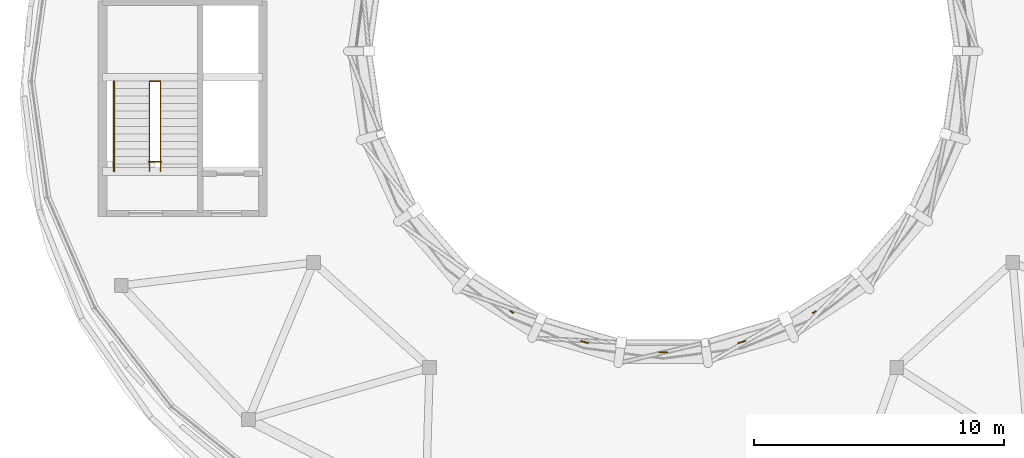
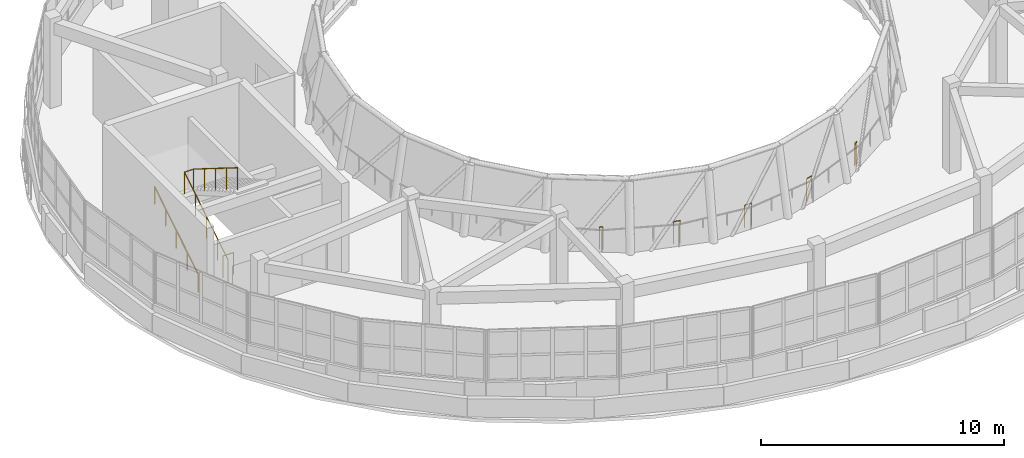
# One storey, part 40 of 46: 8 railings.
"""IFC4 building model written with IfcOpenShell, lengths in metres."""

from ifc_helpers import new_model, si_unit, direction, frame, origin, origin_2d, place, context, subcontext, project, spatial, circle, extrude, material, type_object, element, save


model = new_model("IFC4")

# Units and contexts
model_context = context("Model", 3, precision=1e-05, world=origin(), true_north=direction((0.0, 1.0)))
body_context = subcontext(model_context, "Body", "Model", "MODEL_VIEW")
ifc_project = project(units=[si_unit("LENGTHUNIT", "METRE"), si_unit("AREAUNIT", "SQUARE_METRE"), si_unit("VOLUMEUNIT", "CUBIC_METRE"), si_unit("PLANEANGLEUNIT", "RADIAN"), si_unit("MASSUNIT", "GRAM", prefix="KILO")], contexts=[model_context])

# Site, building, storey
site_placement = place(None, origin())
site = spatial("IfcSite", under=ifc_project, at=site_placement, CompositionType="ELEMENT")
building_placement = place(site_placement, origin())
building = spatial("IfcBuilding", under=site, at=building_placement, Name="Pelvatis Terrace Science Centre", CompositionType="ELEMENT")
storey_placement = place(building_placement, frame((0.0, 0.0, 19.800048828125)))
storey = spatial("IfcBuildingStorey", under=building, at=storey_placement, Name="L04", CompositionType="ELEMENT", Elevation=19.800048828125)

# Railings
ifc_material_1 = material(Name="Bronze-anodised aluminium and laminated safety glass balustrade", Category="aluminium")
railing_type_1 = type_object("IfcRailingType", Name="RLG-BAL-1150", PredefinedType="BALUSTRADE", material=ifc_material_1)
railing_1_placement = place(storey_placement, frame((103.09814453125, 75.413330078125, 0.0)))
element("IfcRailing", 1, at=railing_1_placement, inside=storey, type_object=railing_type_1, Name="Perimeter edge balustrade RLG-EDG-L04-423", PredefinedType="BALUSTRADE", context=body_context, shape_type="SweptSolid", body=[
    extrude(circle(Radius=0.02392578125, at=origin_2d()), frame((0.0, 0.0, 1.1259765625), z_axis=(0.84064483359, -0.541586801684, 0.0), x_axis=(0.541586801684, 0.84064483359, 0.0)), (0.0, 0.0, 1.0), 0.1337890625),
    extrude(circle(Radius=0.02099609375, at=origin_2d()), origin(), (0.0, 0.0, 1.0), 1.101806640625),
    extrude(circle(Radius=0.02099609375, at=origin_2d()), frame((0.112548828125, -0.072509765625, 0.0)), (0.0, 0.0, 1.0), 1.101806640625),
])
railing_2_placement = place(storey_placement, frame((105.92431640625, 74.216796875, 0.0)))
element("IfcRailing", 2, at=railing_2_placement, inside=storey, type_object=railing_type_1, Name="Perimeter edge balustrade RLG-EDG-L04-424", PredefinedType="BALUSTRADE", context=body_context, shape_type="SweptSolid", body=[
    extrude(circle(Radius=0.02392578125, at=origin_2d()), frame((0.0, 0.0, 1.1259765625), z_axis=(0.959668913925, -0.281132665562, 0.0), x_axis=(0.281132665562, 0.959668913925, 0.0)), (0.0, 0.0, 1.0), 0.28125),
    extrude(circle(Radius=0.02099609375, at=origin_2d()), origin(), (0.0, 0.0, 1.0), 1.101806640625),
    extrude(circle(Radius=0.02099609375, at=origin_2d()), frame((0.27001953125, -0.0791015625, 0.0)), (0.0, 0.0, 1.0), 1.101806640625),
])
railing_3_placement = place(storey_placement, frame((109.0380859375, 73.76318359375, 0.0)))
element("IfcRailing", 3, at=railing_3_placement, inside=storey, type_object=railing_type_1, Name="Perimeter edge balustrade RLG-EDG-L04-425", PredefinedType="BALUSTRADE", context=body_context, shape_type="SweptSolid", body=[
    extrude(circle(Radius=0.02392578125, at=origin_2d()), frame((0.0, 0.0, 1.1259765625), z_axis=(1.0, 0.0, 0.0), x_axis=(0.0, 1.0, 0.0)), (0.0, 0.0, 1.0), 0.32373046875),
    extrude(circle(Radius=0.02099609375, at=origin_2d()), origin(), (0.0, 0.0, 1.0), 1.101806640625),
    extrude(circle(Radius=0.02099609375, at=origin_2d()), frame((0.32373046875, 0.0, 0.0)), (0.0, 0.0, 1.0), 1.101806640625),
])
railing_4_placement = place(storey_placement, frame((112.20556640625, 74.1376953125, 0.0)))
element("IfcRailing", 4, at=railing_4_placement, inside=storey, type_object=railing_type_1, Name="Perimeter edge balustrade RLG-EDG-L04-426", PredefinedType="BALUSTRADE", context=body_context, shape_type="SweptSolid", body=[
    extrude(circle(Radius=0.02392578125, at=origin_2d()), frame((0.0, 0.0, 1.1259765625), z_axis=(0.959737407008, 0.280898753271, 0.0), x_axis=(-0.280898753271, 0.959737407008, 0.0)), (0.0, 0.0, 1.0), 0.281494140625),
    extrude(circle(Radius=0.02099609375, at=origin_2d()), origin(), (0.0, 0.0, 1.0), 1.101806640625),
    extrude(circle(Radius=0.02099609375, at=origin_2d()), frame((0.270263671875, 0.0791015625, 0.0)), (0.0, 0.0, 1.0), 1.101806640625),
])
railing_5_placement = place(storey_placement, frame((115.189208984375, 75.3408203125, 0.0)))
element("IfcRailing", 5, at=railing_5_placement, inside=storey, type_object=railing_type_1, Name="Perimeter edge balustrade RLG-EDG-L04-427", PredefinedType="BALUSTRADE", context=body_context, shape_type="SweptSolid", body=[
    extrude(circle(Radius=0.02392578125, at=origin_2d()), frame((0.0, 0.0, 1.1259765625), z_axis=(0.841178475377, 0.540757591313, 0.0), x_axis=(-0.540757591313, 0.841178475377, 0.0)), (0.0, 0.0, 1.0), 0.134033203125),
    extrude(circle(Radius=0.02099609375, at=origin_2d()), origin(), (0.0, 0.0, 1.0), 1.101806640625),
    extrude(circle(Radius=0.02099609375, at=origin_2d()), frame((0.11279296875, 0.072509765625, 0.0)), (0.0, 0.0, 1.0), 1.101806640625),
])
ifc_material_2 = material(Name="Brushed architectural bronze tubular railing", Category="steel")
railing_type_2 = type_object("IfcRailingType", Name="RLG-GRD-1120", PredefinedType="GUARDRAIL", material=ifc_material_2)
railing_6_placement = place(storey_placement, frame((88.679931640625, 81.0, 0.0)))
element("IfcRailing", 6, at=railing_6_placement, inside=storey, type_object=railing_type_2, Name="Stair ST-01-L04 inner well guardrail", PredefinedType="GUARDRAIL", context=body_context, shape_type="SweptSolid", body=[
    extrude(circle(Radius=0.02392578125, at=origin_2d()), frame((0.0, 0.0, 1.09619140625), z_axis=(0.0, 0.848004765453, 0.529988601547), x_axis=(-1.0, 0.0, 0.0)), (0.0, 0.0, 1.0), 4.245361328125),
    extrude(circle(Radius=0.02392578125, at=origin_2d()), frame((0.0, 3.60009765625, 3.34619140625), z_axis=(1.0, 0.0, 0.0), x_axis=(0.0, 1.0, 0.0)), (0.0, 0.0, 1.0), 0.440185546875),
    extrude(circle(Radius=0.02392578125, at=origin_2d()), frame((0.440185546875, 3.60009765625, 3.34619140625), z_axis=(0.0, -0.848004765453, 0.529988601547), x_axis=(1.0, 0.0, 0.0)), (0.0, 0.0, 1.0), 4.245361328125),
    extrude(circle(Radius=0.02099609375, at=origin_2d()), origin(), (0.0, 0.0, 1.0), 1.072021484375),
    extrude(circle(Radius=0.02099609375, at=origin_2d()), frame((0.0, 0.89990234375, 0.5625)), (0.0, 0.0, 1.0), 1.072021484375),
    extrude(circle(Radius=0.02099609375, at=origin_2d()), frame((0.0, 1.800048828125, 1.125)), (0.0, 0.0, 1.0), 1.072021484375),
    extrude(circle(Radius=0.02099609375, at=origin_2d()), frame((0.0, 2.7001953125, 1.6875)), (0.0, 0.0, 1.0), 1.072021484375),
    extrude(circle(Radius=0.02099609375, at=origin_2d()), frame((0.0, 3.60009765625, 2.25)), (0.0, 0.0, 1.0), 1.072021484375),
    extrude(circle(Radius=0.02099609375, at=origin_2d()), frame((0.440185546875, 3.60009765625, 2.25)), (0.0, 0.0, 1.0), 1.072021484375),
    extrude(circle(Radius=0.02099609375, at=origin_2d()), frame((0.440185546875, 2.7001953125, 2.8125)), (0.0, 0.0, 1.0), 1.072021484375),
    extrude(circle(Radius=0.02099609375, at=origin_2d()), frame((0.440185546875, 1.800048828125, 3.375)), (0.0, 0.0, 1.0), 1.072021484375),
    extrude(circle(Radius=0.02099609375, at=origin_2d()), frame((0.440185546875, 0.89990234375, 3.9375)), (0.0, 0.0, 1.0), 1.072021484375),
    extrude(circle(Radius=0.02099609375, at=origin_2d()), frame((0.440185546875, 0.0, 4.5)), (0.0, 0.0, 1.0), 1.072021484375),
])
railing_7_placement = place(storey_placement, frame((88.64990234375, 81.3798828125, 0.0)))
element("IfcRailing", 7, at=railing_7_placement, inside=storey, type_object=railing_type_2, Name="Core C1 landing well slot guard (L04)", PredefinedType="GUARDRAIL", context=body_context, shape_type="SweptSolid", body=[
    extrude(circle(Radius=0.02392578125, at=origin_2d()), frame((0.0, 0.0, 1.09619140625), z_axis=(1.0, 0.0, 0.0), x_axis=(0.0, 1.0, 0.0)), (0.0, 0.0, 1.0), 0.5),
    extrude(circle(Radius=0.02099609375, at=origin_2d()), origin(), (0.0, 0.0, 1.0), 1.072021484375),
    extrude(circle(Radius=0.02099609375, at=origin_2d()), frame((0.5, 0.0, 0.0)), (0.0, 0.0, 1.0), 1.072021484375),
])
ifc_material_3 = material(Name="Brushed architectural bronze tubular railing", Category="steel")
railing_type_3 = type_object("IfcRailingType", Name="RLG-HND-0900", PredefinedType="HANDRAIL", material=ifc_material_3)
railing_8_placement = place(storey_placement, frame((87.260009765625, 81.0, 0.0)))
element("IfcRailing", 8, at=railing_8_placement, inside=storey, type_object=railing_type_3, Name="Stair ST-01-L04 wall handrail", PredefinedType="HANDRAIL", context=body_context, shape_type="SweptSolid", body=[
    extrude(circle(Radius=0.02392578125, at=origin_2d()), frame((0.0, 0.0, 0.8759765625), z_axis=(0.0, 0.848004765453, 0.529988601547), x_axis=(-1.0, 0.0, 0.0)), (0.0, 0.0, 1.0), 4.245361328125),
    extrude(circle(Radius=0.02099609375, at=origin_2d()), origin(), (0.0, 0.0, 1.0), 0.851806640625),
    extrude(circle(Radius=0.02099609375, at=origin_2d()), frame((0.0, 0.89990234375, 0.5625)), (0.0, 0.0, 1.0), 0.851806640625),
    extrude(circle(Radius=0.02099609375, at=origin_2d()), frame((0.0, 1.800048828125, 1.125)), (0.0, 0.0, 1.0), 0.851806640625),
    extrude(circle(Radius=0.02099609375, at=origin_2d()), frame((0.0, 2.7001953125, 1.6875)), (0.0, 0.0, 1.0), 0.851806640625),
    extrude(circle(Radius=0.02099609375, at=origin_2d()), frame((0.0, 3.60009765625, 2.25)), (0.0, 0.0, 1.0), 0.851806640625),
])

save(model, "model.ifc")
